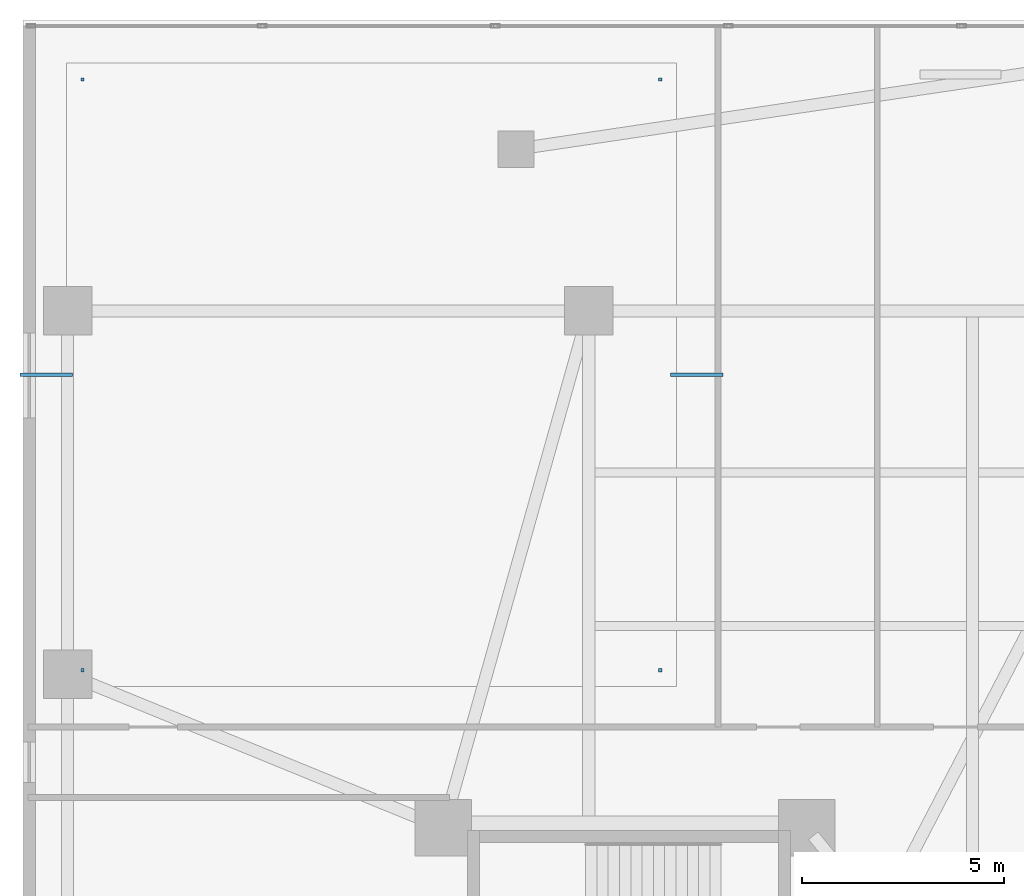
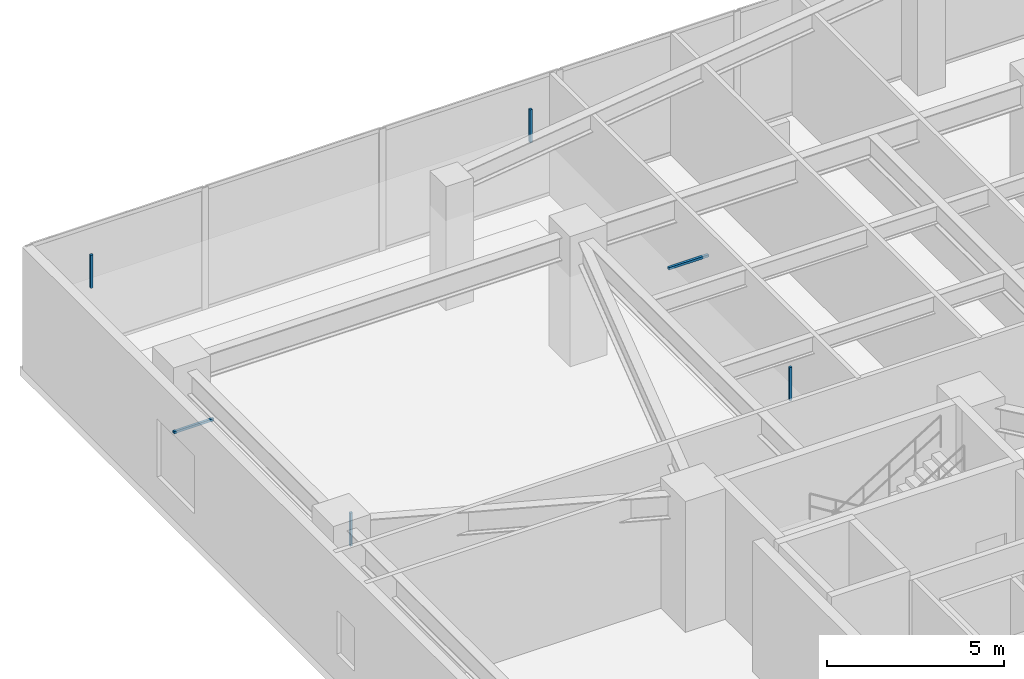
# One storey, part 17 of 22: 6 discrete accessories.
"""IFC4 building model written with IfcOpenShell, lengths in metres."""

from ifc_helpers import new_model, si_unit, direction, frame, origin, origin_2d, place, context, subcontext, project, spatial, rectangle, extrude, material, type_object, element, save


model = new_model("IFC4")

# Units and contexts
model_context = context("Model", 3, precision=1e-05, world=origin(), true_north=direction((0.0, 1.0)))
body_context = subcontext(model_context, "Body", "Model", "MODEL_VIEW")
ifc_project = project(units=[si_unit("LENGTHUNIT", "METRE"), si_unit("AREAUNIT", "SQUARE_METRE"), si_unit("VOLUMEUNIT", "CUBIC_METRE"), si_unit("PLANEANGLEUNIT", "RADIAN"), si_unit("MASSUNIT", "GRAM", prefix="KILO")], contexts=[model_context])

# Site, building, storey
site_placement = place(None, origin())
site = spatial("IfcSite", under=ifc_project, at=site_placement, CompositionType="ELEMENT")
building_placement = place(site_placement, origin())
building = spatial("IfcBuilding", under=site, at=building_placement, Name="Tarnavaz Court Tower", CompositionType="ELEMENT")
storey_placement = place(building_placement, frame((0.0, 0.0, 14.39990234375)))
storey = spatial("IfcBuildingStorey", under=building, at=storey_placement, Name="L03", CompositionType="ELEMENT", Elevation=14.39990234375)

# Discrete accessories
ifc_material = material(Name="Anodised Aluminium 6063-T6", Category="aluminium")
discrete_accessory_type = type_object("IfcDiscreteAccessoryType", Name="DA-BRKT-ALU", PredefinedType="BRACKET", material=ifc_material)
for number, where, z_axis, x_axis, name in (
    (1, (-27.530029296875, 13.89990234375, 3.09033203125), (0.0, 0.0, 1.0), (1.0, 0.0, 0.0), "L03 Ceiling Suspension Hanger Bracket 01-1"),
    (2, (-13.22998046875, 13.89990234375, 3.09033203125), (0.0, 0.0, 1.0), (1.0, 0.0, 0.0), "L03 Ceiling Suspension Hanger Bracket 01-2"),
    (3, (-13.22998046875, 28.530029296875, 3.09033203125), (0.0, 0.0, 1.0), (1.0, 0.0, 0.0), "L03 Ceiling Suspension Hanger Bracket 01-3"),
    (4, (-27.530029296875, 28.530029296875, 3.09033203125), (0.0, 0.0, 1.0), (1.0, 0.0, 0.0), "L03 Ceiling Suspension Hanger Bracket 01-4"),
):
    element("IfcDiscreteAccessory", number, at=place(storey_placement, frame(where, z_axis=z_axis, x_axis=x_axis)), inside=storey, type_object=discrete_accessory_type, Name=name, PredefinedType="BRACKET", context=body_context, shape_type="SweptSolid", body=[
        extrude(rectangle(XDim=0.080078125, YDim=0.080078125, at=origin_2d()), origin(), (0.0, 0.0, 1.0), 1.139892578125),
    ])
for number, where, z_axis, x_axis, name in (
    (5, (-28.429931640625, 21.215087890625, 3.052490234375), (0.0, 0.0, 1.0), (1.0, 0.0, 0.0), "L03 Ceiling Perimeter Wall-Tie Bracket 01-1"),
    (6, (-12.330078125, 21.215087890625, 3.052490234375), (0.0, 0.0, 1.0), (1.0, 0.0, 0.0), "L03 Ceiling Perimeter Wall-Tie Bracket 01-2"),
):
    element("IfcDiscreteAccessory", number, at=place(storey_placement, frame(where, z_axis=z_axis, x_axis=x_axis)), inside=storey, type_object=discrete_accessory_type, Name=name, PredefinedType="BRACKET", context=body_context, shape_type="SweptSolid", body=[
        extrude(rectangle(XDim=1.300048828125, YDim=0.080078125, at=origin_2d()), origin(), (0.0, 0.0, 1.0), 0.080078125),
    ])

save(model, "model.ifc")
